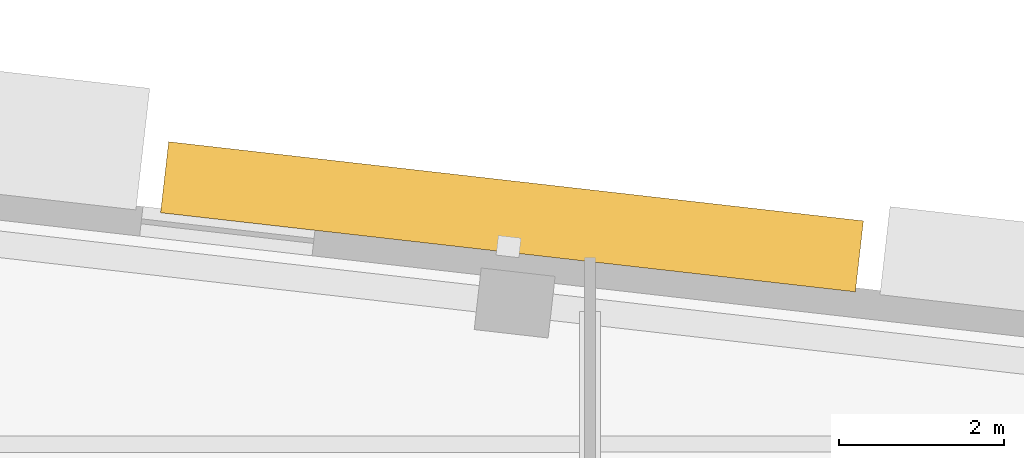
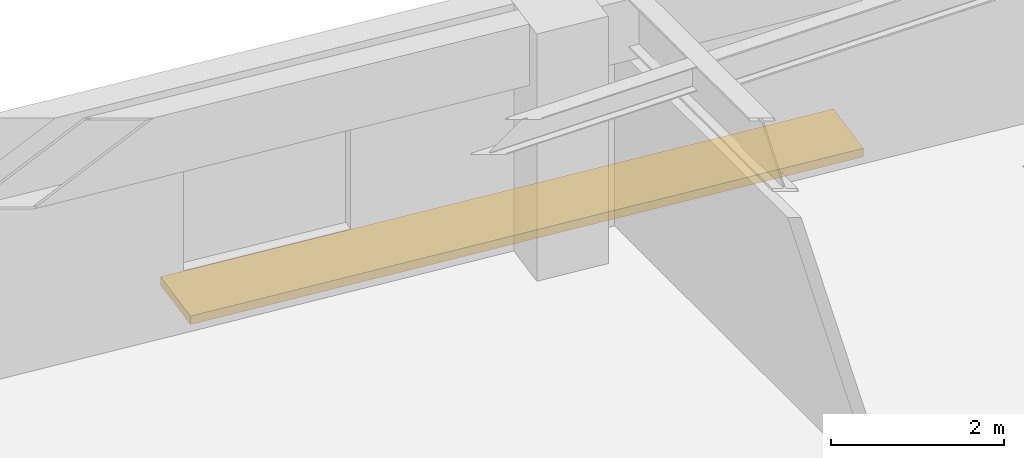
# One storey, part 14 of 14: 1 shading device.
"""IFC4 building model written with IfcOpenShell, lengths in metres."""

from ifc_helpers import new_model, si_unit, direction, frame, origin, origin_2d, place, context, subcontext, project, spatial, rectangle, extrude, material, type_object, element, save


model = new_model("IFC4")

# Units and contexts
model_context = context("Model", 3, precision=1e-05, world=origin(), true_north=direction((0.0, 1.0)))
body_context = subcontext(model_context, "Body", "Model", "MODEL_VIEW")
ifc_project = project(units=[si_unit("LENGTHUNIT", "METRE"), si_unit("AREAUNIT", "SQUARE_METRE"), si_unit("VOLUMEUNIT", "CUBIC_METRE"), si_unit("PLANEANGLEUNIT", "RADIAN"), si_unit("MASSUNIT", "GRAM", prefix="KILO")], contexts=[model_context])

# Site, building, storey
site_placement = place(None, origin())
site = spatial("IfcSite", under=ifc_project, at=site_placement, CompositionType="ELEMENT")
building_placement = place(site_placement, origin())
building = spatial("IfcBuilding", under=site, at=building_placement, Name="Kolvaren Arena Tower", CompositionType="ELEMENT")
storey_placement = place(building_placement, frame((0.0, 0.0, 247.199951171875)))
storey = spatial("IfcBuildingStorey", under=building, at=storey_placement, Name="L60", CompositionType="ELEMENT", Elevation=247.199951171875)

# Shading device
ifc_material = material(Name="Architectural precast GFRC and anodised aluminium sunshade", Category="concrete")
shading_device_type = type_object("IfcShadingDeviceType", Name="SHAD-SINE-A", PredefinedType="USERDEFINED", material=ifc_material)
shading_device_placement = place(storey_placement, frame((43.058349609375, 47.501220703125, -0.139892578125), z_axis=(0.0, 0.0, 1.0), x_axis=(0.993571658098, -0.113204947878, 0.0)))
element("IfcShadingDevice", 1, at=shading_device_placement, inside=storey, type_object=shading_device_type, Name="Sinusoidal Slab-Edge Sunshade Louvre (L60)", ObjectType="LOUVRE", PredefinedType="USERDEFINED", context=body_context, shape_type="SweptSolid", body=[
    extrude(rectangle(XDim=8.4599609375, YDim=0.864501953125, at=origin_2d()), origin(), (0.0, 0.0, 1.0), 0.1201171875),
])

save(model, "model.ifc")
